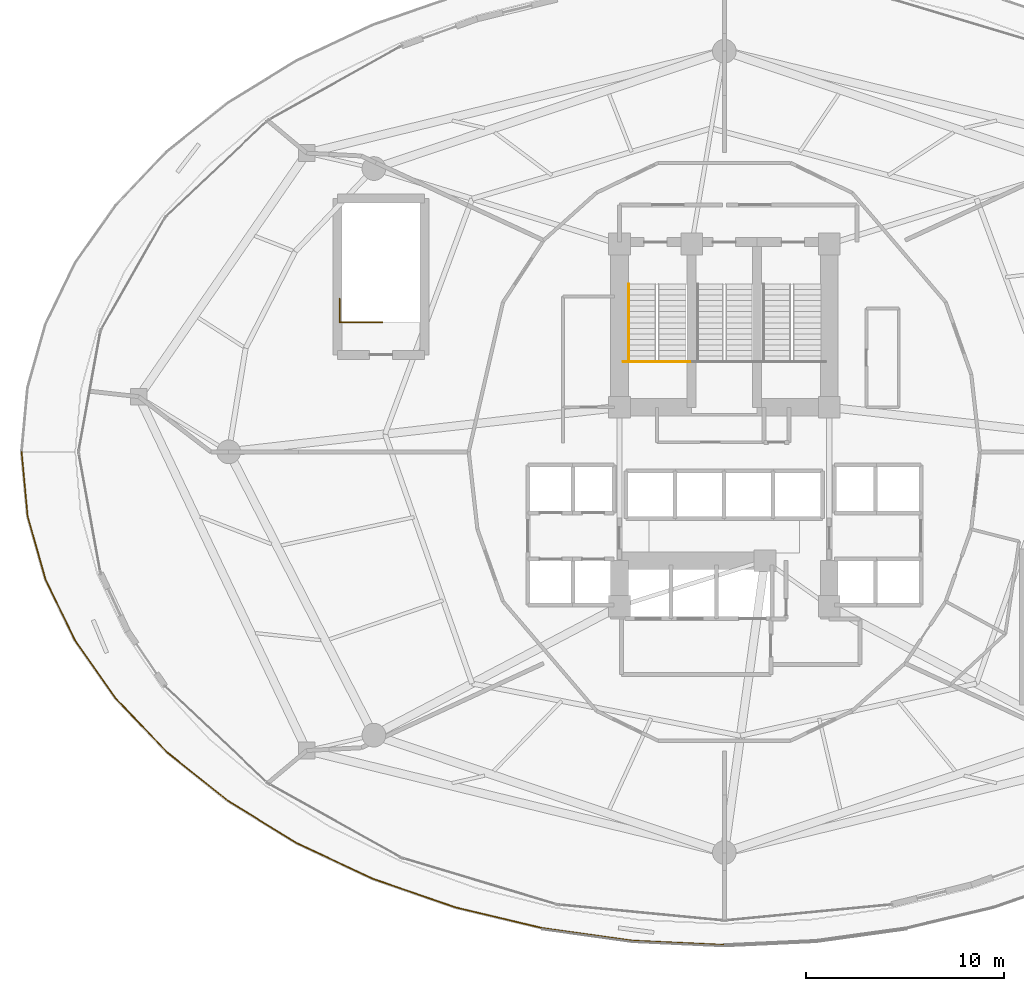
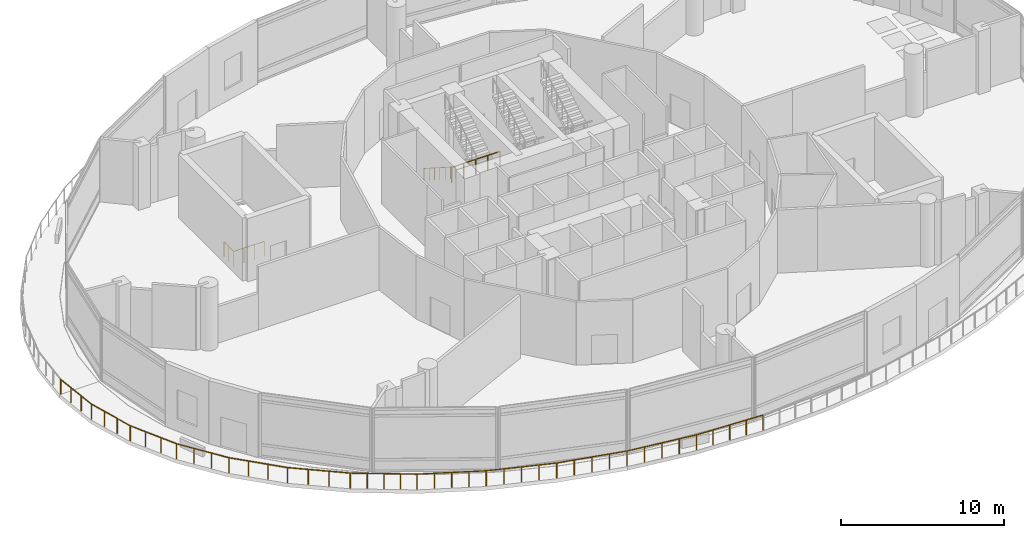
# One storey, part 30 of 34: 5 railings.
"""IFC4 building model written with IfcOpenShell, lengths in metres."""

from ifc_helpers import new_model, si_unit, direction, frame, origin, place, context, subcontext, project, spatial, polyline, outline, extrude, material, type_object, element, save


model = new_model("IFC4")

# Units and contexts
model_context = context("Model", 3, precision=1e-05, world=origin(), true_north=direction((0.0, 1.0)))
body_context = subcontext(model_context, "Body", "Model", "MODEL_VIEW")
ifc_project = project(units=[si_unit("LENGTHUNIT", "METRE"), si_unit("AREAUNIT", "SQUARE_METRE"), si_unit("VOLUMEUNIT", "CUBIC_METRE"), si_unit("PLANEANGLEUNIT", "RADIAN"), si_unit("MASSUNIT", "GRAM", prefix="KILO")], contexts=[model_context])

# Site, building, storey
site_placement = place(None, origin())
site = spatial("IfcSite", under=ifc_project, at=site_placement, CompositionType="ELEMENT")
building_placement = place(site_placement, origin())
building = spatial("IfcBuilding", under=site, at=building_placement, Name="Nuhasar Tower", CompositionType="ELEMENT")
storey_placement = place(building_placement, frame((0.0, 0.0, 16.0)))
storey = spatial("IfcBuildingStorey", under=building, at=storey_placement, Name="L03", CompositionType="ELEMENT", Elevation=16.0)

# Railings
ifc_material_1 = material(Name="Steel S355", Category="steel")
railing_type_1 = type_object("IfcRailingType", Name="RLG-STAIR-GUARD-1150", PredefinedType="GUARDRAIL", material=ifc_material_1)
railing_1_placement = place(storey_placement, frame((33.8798828125, 31.364990234375, 2.5)))
element("IfcRailing", 1, at=railing_1_placement, inside=storey, type_object=railing_type_1, Name="L03 Stair ST-01 Guardrail LND", PredefinedType="GUARDRAIL", context=body_context, shape_type="SweptSolid", body=[
    extrude(outline(polyline([(0.024169921875, 0.0), (0.01708984375, 0.01708984375), (0.0, 0.024169921875), (-0.01708984375, 0.01708984375), (-0.024169921875, 0.0), (-0.01708984375, -0.01708984375), (0.0, -0.024169921875), (0.01708984375, -0.01708984375), (0.024169921875, 0.0)])), frame((0.0, 0.0, 1.1259765625), z_axis=(1.0, 0.0, 0.0), x_axis=(0.0, 1.0, 0.0)), (0.0, 0.0, 1.0), 3.420166015625),
    extrude(outline(polyline([(0.02099609375, 0.0), (0.014892578125, 0.014892578125), (0.0, 0.02099609375), (-0.014892578125, 0.014892578125), (-0.02099609375, 0.0), (-0.014892578125, -0.014892578125), (0.0, -0.02099609375), (0.014892578125, -0.014892578125), (0.02099609375, 0.0)])), origin(), (0.0, 0.0, 1.0), 1.101806640625),
    extrude(outline(polyline([(0.02099609375, 0.0), (0.014892578125, 0.014892578125), (0.0, 0.02099609375), (-0.014892578125, 0.014892578125), (-0.02099609375, 0.0), (-0.014892578125, -0.014892578125), (0.0, -0.02099609375), (0.014892578125, -0.014892578125), (0.02099609375, 0.0)])), frame((0.85498046875, 0.0, 0.0)), (0.0, 0.0, 1.0), 1.101806640625),
    extrude(outline(polyline([(0.02099609375, 0.0), (0.014892578125, 0.014892578125), (0.0, 0.02099609375), (-0.014892578125, 0.014892578125), (-0.02099609375, 0.0), (-0.014892578125, -0.014892578125), (0.0, -0.02099609375), (0.014892578125, -0.014892578125), (0.02099609375, 0.0)])), frame((1.7099609375, 0.0, 0.0)), (0.0, 0.0, 1.0), 1.101806640625),
    extrude(outline(polyline([(0.02099609375, 0.0), (0.014892578125, 0.014892578125), (0.0, 0.02099609375), (-0.014892578125, 0.014892578125), (-0.02099609375, 0.0), (-0.014892578125, -0.014892578125), (0.0, -0.02099609375), (0.014892578125, -0.014892578125), (0.02099609375, 0.0)])), frame((2.565185546875, 0.0, 0.0)), (0.0, 0.0, 1.0), 1.101806640625),
    extrude(outline(polyline([(0.02099609375, 0.0), (0.014892578125, 0.014892578125), (0.0, 0.02099609375), (-0.014892578125, 0.014892578125), (-0.02099609375, 0.0), (-0.014892578125, -0.014892578125), (0.0, -0.02099609375), (0.014892578125, -0.014892578125), (0.02099609375, 0.0)])), frame((3.420166015625, 0.0, 0.0)), (0.0, 0.0, 1.0), 1.101806640625),
])
railing_2_placement = place(storey_placement, frame((19.550048828125, 34.550048828125, 0.0)))
element("IfcRailing", 2, at=railing_2_placement, inside=storey, type_object=railing_type_1, Name="L03 Stair ST-04 Top Well Guardrail", PredefinedType="GUARDRAIL", context=body_context, shape_type="SweptSolid", body=[
    extrude(outline(polyline([(0.024169921875, 0.0), (0.01708984375, 0.01708984375), (0.0, 0.024169921875), (-0.01708984375, 0.01708984375), (-0.024169921875, 0.0), (-0.01708984375, -0.01708984375), (0.0, -0.024169921875), (0.01708984375, -0.01708984375), (0.024169921875, 0.0)])), frame((0.0, 0.0, 1.1259765625), z_axis=(0.0, -1.0, 0.0), x_axis=(1.0, 0.0, 0.0)), (0.0, 0.0, 1.0), 1.199951171875),
    extrude(outline(polyline([(0.024169921875, 0.0), (0.01708984375, 0.01708984375), (0.0, 0.024169921875), (-0.01708984375, 0.01708984375), (-0.024169921875, 0.0), (-0.01708984375, -0.01708984375), (0.0, -0.024169921875), (0.01708984375, -0.01708984375), (0.024169921875, 0.0)])), frame((0.0, -1.199951171875, 1.1259765625), z_axis=(1.0, 0.0, 0.0), x_axis=(0.0, 1.0, 0.0)), (0.0, 0.0, 1.0), 2.169921875),
    extrude(outline(polyline([(0.02099609375, 0.0), (0.014892578125, 0.014892578125), (0.0, 0.02099609375), (-0.014892578125, 0.014892578125), (-0.02099609375, 0.0), (-0.014892578125, -0.014892578125), (0.0, -0.02099609375), (0.014892578125, -0.014892578125), (0.02099609375, 0.0)])), origin(), (0.0, 0.0, 1.0), 1.101806640625),
    extrude(outline(polyline([(0.02099609375, 0.0), (0.014892578125, 0.014892578125), (0.0, 0.02099609375), (-0.014892578125, 0.014892578125), (-0.02099609375, 0.0), (-0.014892578125, -0.014892578125), (0.0, -0.02099609375), (0.014892578125, -0.014892578125), (0.02099609375, 0.0)])), frame((0.0, -0.60009765625, 0.0)), (0.0, 0.0, 1.0), 1.101806640625),
    extrude(outline(polyline([(0.02099609375, 0.0), (0.014892578125, 0.014892578125), (0.0, 0.02099609375), (-0.014892578125, 0.014892578125), (-0.02099609375, 0.0), (-0.014892578125, -0.014892578125), (0.0, -0.02099609375), (0.014892578125, -0.014892578125), (0.02099609375, 0.0)])), frame((0.0, -1.199951171875, 0.0)), (0.0, 0.0, 1.0), 1.101806640625),
    extrude(outline(polyline([(0.02099609375, 0.0), (0.014892578125, 0.014892578125), (0.0, 0.02099609375), (-0.014892578125, 0.014892578125), (-0.02099609375, 0.0), (-0.014892578125, -0.014892578125), (0.0, -0.02099609375), (0.014892578125, -0.014892578125), (0.02099609375, 0.0)])), frame((0.723388671875, -1.199951171875, 0.0)), (0.0, 0.0, 1.0), 1.101806640625),
    extrude(outline(polyline([(0.02099609375, 0.0), (0.014892578125, 0.014892578125), (0.0, 0.02099609375), (-0.014892578125, 0.014892578125), (-0.02099609375, 0.0), (-0.014892578125, -0.014892578125), (0.0, -0.02099609375), (0.014892578125, -0.014892578125), (0.02099609375, 0.0)])), frame((1.446533203125, -1.199951171875, 0.0)), (0.0, 0.0, 1.0), 1.101806640625),
    extrude(outline(polyline([(0.02099609375, 0.0), (0.014892578125, 0.014892578125), (0.0, 0.02099609375), (-0.014892578125, 0.014892578125), (-0.02099609375, 0.0), (-0.014892578125, -0.014892578125), (0.0, -0.02099609375), (0.014892578125, -0.014892578125), (0.02099609375, 0.0)])), frame((2.169921875, -1.199951171875, 0.0)), (0.0, 0.0, 1.0), 1.101806640625),
])
ifc_material_2 = material(Name="Stainless Steel 316L", Category="steel")
railing_type_2 = type_object("IfcRailingType", Name="RLG-STAIR-HAND-920", PredefinedType="HANDRAIL", material=ifc_material_2)
railing_3_placement = place(storey_placement, frame((34.169921875, 35.284912109375, 0.1669921875)))
element("IfcRailing", 3, at=railing_3_placement, inside=storey, type_object=railing_type_2, Name="L03 Stair ST-01 Handrail HND1", PredefinedType="HANDRAIL", context=body_context, shape_type="SweptSolid", body=[
    extrude(outline(polyline([(0.024169921875, 0.0), (0.01708984375, 0.01708984375), (0.0, 0.024169921875), (-0.01708984375, 0.01708984375), (-0.024169921875, 0.0), (-0.01708984375, -0.01708984375), (0.0, -0.024169921875), (0.01708984375, -0.01708984375), (0.024169921875, 0.0)])), frame((0.0, 0.0, 0.89599609375), z_axis=(0.0, -0.843124831705, 0.537717879712), x_axis=(1.0, 0.0, 0.0)), (0.0, 0.0, 1.0), 4.649169921875),
    extrude(outline(polyline([(0.02099609375, 0.0), (0.014892578125, 0.014892578125), (0.0, 0.02099609375), (-0.014892578125, 0.014892578125), (-0.02099609375, 0.0), (-0.014892578125, -0.014892578125), (0.0, -0.02099609375), (0.014892578125, -0.014892578125), (0.02099609375, 0.0)])), origin(), (0.0, 0.0, 1.0), 0.871826171875),
    extrude(outline(polyline([(0.02099609375, 0.0), (0.014892578125, 0.014892578125), (0.0, 0.02099609375), (-0.014892578125, 0.014892578125), (-0.02099609375, 0.0), (-0.014892578125, -0.014892578125), (0.0, -0.02099609375), (0.014892578125, -0.014892578125), (0.02099609375, 0.0)])), frame((0.0, -0.6533203125, 0.416748046875)), (0.0, 0.0, 1.0), 0.871826171875),
    extrude(outline(polyline([(0.02099609375, 0.0), (0.014892578125, 0.014892578125), (0.0, 0.02099609375), (-0.014892578125, 0.014892578125), (-0.02099609375, 0.0), (-0.014892578125, -0.014892578125), (0.0, -0.02099609375), (0.014892578125, -0.014892578125), (0.02099609375, 0.0)])), frame((0.0, -1.306640625, 0.833251953125)), (0.0, 0.0, 1.0), 0.871826171875),
    extrude(outline(polyline([(0.02099609375, 0.0), (0.014892578125, 0.014892578125), (0.0, 0.02099609375), (-0.014892578125, 0.014892578125), (-0.02099609375, 0.0), (-0.014892578125, -0.014892578125), (0.0, -0.02099609375), (0.014892578125, -0.014892578125), (0.02099609375, 0.0)])), frame((0.0, -1.9599609375, 1.25)), (0.0, 0.0, 1.0), 0.871826171875),
    extrude(outline(polyline([(0.02099609375, 0.0), (0.014892578125, 0.014892578125), (0.0, 0.02099609375), (-0.014892578125, 0.014892578125), (-0.02099609375, 0.0), (-0.014892578125, -0.014892578125), (0.0, -0.02099609375), (0.014892578125, -0.014892578125), (0.02099609375, 0.0)])), frame((0.0, -2.61328125, 1.666748046875)), (0.0, 0.0, 1.0), 0.871826171875),
    extrude(outline(polyline([(0.02099609375, 0.0), (0.014892578125, 0.014892578125), (0.0, 0.02099609375), (-0.014892578125, 0.014892578125), (-0.02099609375, 0.0), (-0.014892578125, -0.014892578125), (0.0, -0.02099609375), (0.014892578125, -0.014892578125), (0.02099609375, 0.0)])), frame((0.0, -3.2666015625, 2.083251953125)), (0.0, 0.0, 1.0), 0.871826171875),
    extrude(outline(polyline([(0.02099609375, 0.0), (0.014892578125, 0.014892578125), (0.0, 0.02099609375), (-0.014892578125, 0.014892578125), (-0.02099609375, 0.0), (-0.014892578125, -0.014892578125), (0.0, -0.02099609375), (0.014892578125, -0.014892578125), (0.02099609375, 0.0)])), frame((0.0, -3.919921875, 2.5)), (0.0, 0.0, 1.0), 0.871826171875),
])
railing_type_3 = type_object("IfcRailingType", Name="RLG-TERR-1150", PredefinedType="BALUSTRADE", material=ifc_material_1)
railing_4_placement = place(storey_placement, frame((3.47998046875, 26.800048828125, 0.0)))
element("IfcRailing", 4, at=railing_4_placement, inside=storey, type_object=railing_type_3, Name="L03 Bustan Terrace Perimeter Balustrade 05", PredefinedType="BALUSTRADE", context=body_context, shape_type="SweptSolid", body=[
    extrude(outline(polyline([(0.024169921875, 0.0), (0.01708984375, 0.01708984375), (0.0, 0.024169921875), (-0.01708984375, 0.01708984375), (-0.024169921875, 0.0), (-0.01708984375, -0.01708984375), (0.0, -0.024169921875), (0.01708984375, -0.01708984375), (0.024169921875, 0.0)])), frame((0.0, 0.0, 1.1259765625), z_axis=(0.093035140952, -0.995662825734, 0.0), x_axis=(0.995662825734, 0.093035140952, 0.0)), (0.0, 0.0, 1.0), 3.26708984375),
    extrude(outline(polyline([(0.024169921875, 0.0), (0.01708984375, 0.01708984375), (0.0, 0.024169921875), (-0.01708984375, 0.01708984375), (-0.024169921875, 0.0), (-0.01708984375, -0.01708984375), (0.0, -0.024169921875), (0.01708984375, -0.01708984375), (0.024169921875, 0.0)])), frame((0.303955078125, -3.2529296875, 1.1259765625), z_axis=(0.272653580986, -0.962112272438, 0.0), x_axis=(0.962112272438, 0.272653580986, 0.0)), (0.0, 0.0, 1.0), 3.322998046875),
    extrude(outline(polyline([(0.024169921875, 0.0), (0.01708984375, 0.01708984375), (0.0, 0.024169921875), (-0.01708984375, 0.01708984375), (-0.024169921875, 0.0), (-0.01708984375, -0.01708984375), (0.0, -0.024169921875), (0.01708984375, -0.01708984375), (0.024169921875, 0.0)])), frame((1.2099609375, -6.449951171875, 1.1259765625), z_axis=(0.435756333152, -0.900064674408, 0.0), x_axis=(0.900064674408, 0.435756333152, 0.0)), (0.0, 0.0, 1.0), 3.428955078125),
    extrude(outline(polyline([(0.024169921875, 0.0), (0.01708984375, 0.01708984375), (0.0, 0.024169921875), (-0.01708984375, 0.01708984375), (-0.024169921875, 0.0), (-0.01708984375, -0.01708984375), (0.0, -0.024169921875), (0.01708984375, -0.01708984375), (0.024169921875, 0.0)])), frame((2.7041015625, -9.5361328125, 1.1259765625), z_axis=(0.575011024195, -0.818145660658, 0.0), x_axis=(0.818145660658, 0.575011024195, 0.0)), (0.0, 0.0, 1.0), 3.57373046875),
    extrude(outline(polyline([(0.024169921875, 0.0), (0.01708984375, 0.01708984375), (0.0, 0.024169921875), (-0.01708984375, 0.01708984375), (-0.024169921875, 0.0), (-0.01708984375, -0.01708984375), (0.0, -0.024169921875), (0.01708984375, -0.01708984375), (0.024169921875, 0.0)])), frame((4.759033203125, -12.4599609375, 1.1259765625), z_axis=(0.689642141237, -0.724150341456, 0.0), x_axis=(0.724150341456, 0.689642141237, 0.0)), (0.0, 0.0, 1.0), 3.74267578125),
    extrude(outline(polyline([(0.024169921875, 0.0), (0.01708984375, 0.01708984375), (0.0, 0.024169921875), (-0.01708984375, 0.01708984375), (-0.024169921875, 0.0), (-0.01708984375, -0.01708984375), (0.0, -0.024169921875), (0.01708984375, -0.01708984375), (0.024169921875, 0.0)])), frame((7.340087890625, -15.170166015625, 1.1259765625), z_axis=(0.780942399293, -0.624603049133, 0.0), x_axis=(0.624603049133, 0.780942399293, 0.0)), (0.0, 0.0, 1.0), 3.8837890625),
    extrude(outline(polyline([(0.02099609375, 0.0), (0.014892578125, 0.014892578125), (0.0, 0.02099609375), (-0.014892578125, 0.014892578125), (-0.02099609375, 0.0), (-0.014892578125, -0.014892578125), (0.0, -0.02099609375), (0.014892578125, -0.014892578125), (0.02099609375, 0.0)])), origin(), (0.0, 0.0, 1.0), 1.101806640625),
    extrude(outline(polyline([(0.02099609375, 0.0), (0.014892578125, 0.014892578125), (0.0, 0.02099609375), (-0.014892578125, 0.014892578125), (-0.02099609375, 0.0), (-0.014892578125, -0.014892578125), (0.0, -0.02099609375), (0.014892578125, -0.014892578125), (0.02099609375, 0.0)])), frame((0.101318359375, -1.084228515625, 0.0)), (0.0, 0.0, 1.0), 1.101806640625),
    extrude(outline(polyline([(0.02099609375, 0.0), (0.014892578125, 0.014892578125), (0.0, 0.02099609375), (-0.014892578125, 0.014892578125), (-0.02099609375, 0.0), (-0.014892578125, -0.014892578125), (0.0, -0.02099609375), (0.014892578125, -0.014892578125), (0.02099609375, 0.0)])), frame((0.20263671875, -2.168701171875, 0.0)), (0.0, 0.0, 1.0), 1.101806640625),
    extrude(outline(polyline([(0.02099609375, 0.0), (0.014892578125, 0.014892578125), (0.0, 0.02099609375), (-0.014892578125, 0.014892578125), (-0.02099609375, 0.0), (-0.014892578125, -0.014892578125), (0.0, -0.02099609375), (0.014892578125, -0.014892578125), (0.02099609375, 0.0)])), frame((0.303955078125, -3.2529296875, 0.0)), (0.0, 0.0, 1.0), 1.101806640625),
    extrude(outline(polyline([(0.02099609375, 0.0), (0.014892578125, 0.014892578125), (0.0, 0.02099609375), (-0.014892578125, 0.014892578125), (-0.02099609375, 0.0), (-0.014892578125, -0.014892578125), (0.0, -0.02099609375), (0.014892578125, -0.014892578125), (0.02099609375, 0.0)])), frame((0.60595703125, -4.318603515625, 0.0)), (0.0, 0.0, 1.0), 1.101806640625),
    extrude(outline(polyline([(0.02099609375, 0.0), (0.014892578125, 0.014892578125), (0.0, 0.02099609375), (-0.014892578125, 0.014892578125), (-0.02099609375, 0.0), (-0.014892578125, -0.014892578125), (0.0, -0.02099609375), (0.014892578125, -0.014892578125), (0.02099609375, 0.0)])), frame((0.907958984375, -5.38427734375, 0.0)), (0.0, 0.0, 1.0), 1.101806640625),
    extrude(outline(polyline([(0.02099609375, 0.0), (0.014892578125, 0.014892578125), (0.0, 0.02099609375), (-0.014892578125, 0.014892578125), (-0.02099609375, 0.0), (-0.014892578125, -0.014892578125), (0.0, -0.02099609375), (0.014892578125, -0.014892578125), (0.02099609375, 0.0)])), frame((1.2099609375, -6.449951171875, 0.0)), (0.0, 0.0, 1.0), 1.101806640625),
    extrude(outline(polyline([(0.02099609375, 0.0), (0.014892578125, 0.014892578125), (0.0, 0.02099609375), (-0.014892578125, 0.014892578125), (-0.02099609375, 0.0), (-0.014892578125, -0.014892578125), (0.0, -0.02099609375), (0.014892578125, -0.014892578125), (0.02099609375, 0.0)])), frame((1.7080078125, -7.478759765625, 0.0)), (0.0, 0.0, 1.0), 1.101806640625),
    extrude(outline(polyline([(0.02099609375, 0.0), (0.014892578125, 0.014892578125), (0.0, 0.02099609375), (-0.014892578125, 0.014892578125), (-0.02099609375, 0.0), (-0.014892578125, -0.014892578125), (0.0, -0.02099609375), (0.014892578125, -0.014892578125), (0.02099609375, 0.0)])), frame((2.2060546875, -8.50732421875, 0.0)), (0.0, 0.0, 1.0), 1.101806640625),
    extrude(outline(polyline([(0.02099609375, 0.0), (0.014892578125, 0.014892578125), (0.0, 0.02099609375), (-0.014892578125, 0.014892578125), (-0.02099609375, 0.0), (-0.014892578125, -0.014892578125), (0.0, -0.02099609375), (0.014892578125, -0.014892578125), (0.02099609375, 0.0)])), frame((2.7041015625, -9.5361328125, 0.0)), (0.0, 0.0, 1.0), 1.101806640625),
    extrude(outline(polyline([(0.02099609375, 0.0), (0.014892578125, 0.014892578125), (0.0, 0.02099609375), (-0.014892578125, 0.014892578125), (-0.02099609375, 0.0), (-0.014892578125, -0.014892578125), (0.0, -0.02099609375), (0.014892578125, -0.014892578125), (0.02099609375, 0.0)])), frame((3.38916015625, -10.5107421875, 0.0)), (0.0, 0.0, 1.0), 1.101806640625),
    extrude(outline(polyline([(0.02099609375, 0.0), (0.014892578125, 0.014892578125), (0.0, 0.02099609375), (-0.014892578125, 0.014892578125), (-0.02099609375, 0.0), (-0.014892578125, -0.014892578125), (0.0, -0.02099609375), (0.014892578125, -0.014892578125), (0.02099609375, 0.0)])), frame((4.073974609375, -11.4853515625, 0.0)), (0.0, 0.0, 1.0), 1.101806640625),
    extrude(outline(polyline([(0.02099609375, 0.0), (0.014892578125, 0.014892578125), (0.0, 0.02099609375), (-0.014892578125, 0.014892578125), (-0.02099609375, 0.0), (-0.014892578125, -0.014892578125), (0.0, -0.02099609375), (0.014892578125, -0.014892578125), (0.02099609375, 0.0)])), frame((4.759033203125, -12.4599609375, 0.0)), (0.0, 0.0, 1.0), 1.101806640625),
    extrude(outline(polyline([(0.02099609375, 0.0), (0.014892578125, 0.014892578125), (0.0, 0.02099609375), (-0.014892578125, 0.014892578125), (-0.02099609375, 0.0), (-0.014892578125, -0.014892578125), (0.0, -0.02099609375), (0.014892578125, -0.014892578125), (0.02099609375, 0.0)])), frame((5.619384765625, -13.36328125, 0.0)), (0.0, 0.0, 1.0), 1.101806640625),
    extrude(outline(polyline([(0.02099609375, 0.0), (0.014892578125, 0.014892578125), (0.0, 0.02099609375), (-0.014892578125, 0.014892578125), (-0.02099609375, 0.0), (-0.014892578125, -0.014892578125), (0.0, -0.02099609375), (0.014892578125, -0.014892578125), (0.02099609375, 0.0)])), frame((6.479736328125, -14.266845703125, 0.0)), (0.0, 0.0, 1.0), 1.101806640625),
    extrude(outline(polyline([(0.02099609375, 0.0), (0.014892578125, 0.014892578125), (0.0, 0.02099609375), (-0.014892578125, 0.014892578125), (-0.02099609375, 0.0), (-0.014892578125, -0.014892578125), (0.0, -0.02099609375), (0.014892578125, -0.014892578125), (0.02099609375, 0.0)])), frame((7.340087890625, -15.170166015625, 0.0)), (0.0, 0.0, 1.0), 1.101806640625),
    extrude(outline(polyline([(0.02099609375, 0.0), (0.014892578125, 0.014892578125), (0.0, 0.02099609375), (-0.014892578125, 0.014892578125), (-0.02099609375, 0.0), (-0.014892578125, -0.014892578125), (0.0, -0.02099609375), (0.014892578125, -0.014892578125), (0.02099609375, 0.0)])), frame((8.35107421875, -15.978759765625, 0.0)), (0.0, 0.0, 1.0), 1.101806640625),
    extrude(outline(polyline([(0.02099609375, 0.0), (0.014892578125, 0.014892578125), (0.0, 0.02099609375), (-0.014892578125, 0.014892578125), (-0.02099609375, 0.0), (-0.014892578125, -0.014892578125), (0.0, -0.02099609375), (0.014892578125, -0.014892578125), (0.02099609375, 0.0)])), frame((9.362060546875, -16.787353515625, 0.0)), (0.0, 0.0, 1.0), 1.101806640625),
    extrude(outline(polyline([(0.02099609375, 0.0), (0.014892578125, 0.014892578125), (0.0, 0.02099609375), (-0.014892578125, 0.014892578125), (-0.02099609375, 0.0), (-0.014892578125, -0.014892578125), (0.0, -0.02099609375), (0.014892578125, -0.014892578125), (0.02099609375, 0.0)])), frame((10.373046875, -17.595947265625, 0.0)), (0.0, 0.0, 1.0), 1.101806640625),
])
railing_5_placement = place(storey_placement, frame((13.884033203125, 9.178955078125, 0.0)))
element("IfcRailing", 5, at=railing_5_placement, inside=storey, type_object=railing_type_3, Name="L03 Bustan Terrace Perimeter Balustrade 06", PredefinedType="BALUSTRADE", context=body_context, shape_type="SweptSolid", body=[
    extrude(outline(polyline([(0.024169921875, 0.0), (0.01708984375, 0.01708984375), (0.0, 0.024169921875), (-0.01708984375, 0.01708984375), (-0.024169921875, 0.0), (-0.01708984375, -0.01708984375), (0.0, -0.024169921875), (0.01708984375, -0.01708984375), (0.024169921875, 0.0)])), frame((0.0, 0.0, 1.1259765625), z_axis=(0.851719631052, -0.523997776789, 0.0), x_axis=(0.523997776789, 0.851719631052, 0.0)), (0.0, 0.0, 1.0), 4.10107421875),
    extrude(outline(polyline([(0.024169921875, 0.0), (0.01708984375, 0.01708984375), (0.0, 0.024169921875), (-0.01708984375, 0.01708984375), (-0.024169921875, 0.0), (-0.01708984375, -0.01708984375), (0.0, -0.024169921875), (0.01708984375, -0.01708984375), (0.024169921875, 0.0)])), frame((3.492919921875, -2.14892578125, 1.1259765625), z_axis=(0.905437630864, -0.424479324132, 0.0), x_axis=(0.424479324132, 0.905437630864, 0.0)), (0.0, 0.0, 1.0), 4.2666015625),
    extrude(outline(polyline([(0.024169921875, 0.0), (0.01708984375, 0.01708984375), (0.0, 0.024169921875), (-0.01708984375, 0.01708984375), (-0.024169921875, 0.0), (-0.01708984375, -0.01708984375), (0.0, -0.024169921875), (0.01708984375, -0.01708984375), (0.024169921875, 0.0)])), frame((7.35595703125, -3.9599609375, 1.1259765625), z_axis=(0.945022930753, -0.327004067789, 0.0), x_axis=(0.327004067789, 0.945022930753, 0.0)), (0.0, 0.0, 1.0), 4.409423828125),
    extrude(outline(polyline([(0.024169921875, 0.0), (0.01708984375, 0.01708984375), (0.0, 0.024169921875), (-0.01708984375, 0.01708984375), (-0.024169921875, 0.0), (-0.01708984375, -0.01708984375), (0.0, -0.024169921875), (0.01708984375, -0.01708984375), (0.024169921875, 0.0)])), frame((11.52294921875, -5.40185546875, 1.1259765625), z_axis=(0.972781305311, -0.231725121723, 0.0), x_axis=(0.231725121723, 0.972781305311, 0.0)), (0.0, 0.0, 1.0), 4.52294921875),
    extrude(outline(polyline([(0.024169921875, 0.0), (0.01708984375, 0.01708984375), (0.0, 0.024169921875), (-0.01708984375, 0.01708984375), (-0.024169921875, 0.0), (-0.01708984375, -0.01708984375), (0.0, -0.024169921875), (0.01708984375, -0.01708984375), (0.024169921875, 0.0)])), frame((15.9228515625, -6.449951171875, 1.1259765625), z_axis=(0.990401686218, -0.138219028854, 0.0), x_axis=(0.138219028854, 0.990401686218, 0.0)), (0.0, 0.0, 1.0), 4.601318359375),
    extrude(outline(polyline([(0.024169921875, 0.0), (0.01708984375, 0.01708984375), (0.0, 0.024169921875), (-0.01708984375, 0.01708984375), (-0.024169921875, 0.0), (-0.01708984375, -0.01708984375), (0.0, -0.024169921875), (0.01708984375, -0.01708984375), (0.024169921875, 0.0)])), frame((20.47998046875, -7.0859375, 1.1259765625), z_axis=(0.998948420633, -0.04584815062, 0.0), x_axis=(0.04584815062, 0.998948420633, 0.0)), (0.0, 0.0, 1.0), 4.600830078125),
    extrude(outline(polyline([(0.02099609375, 0.0), (0.014892578125, 0.014892578125), (0.0, 0.02099609375), (-0.014892578125, 0.014892578125), (-0.02099609375, 0.0), (-0.014892578125, -0.014892578125), (0.0, -0.02099609375), (0.014892578125, -0.014892578125), (0.02099609375, 0.0)])), origin(), (0.0, 0.0, 1.0), 1.101806640625),
    extrude(outline(polyline([(0.02099609375, 0.0), (0.014892578125, 0.014892578125), (0.0, 0.02099609375), (-0.014892578125, 0.014892578125), (-0.02099609375, 0.0), (-0.014892578125, -0.014892578125), (0.0, -0.02099609375), (0.014892578125, -0.014892578125), (0.02099609375, 0.0)])), frame((0.873291015625, -0.537109375, 0.0)), (0.0, 0.0, 1.0), 1.101806640625),
    extrude(outline(polyline([(0.02099609375, 0.0), (0.014892578125, 0.014892578125), (0.0, 0.02099609375), (-0.014892578125, 0.014892578125), (-0.02099609375, 0.0), (-0.014892578125, -0.014892578125), (0.0, -0.02099609375), (0.014892578125, -0.014892578125), (0.02099609375, 0.0)])), frame((1.74658203125, -1.074462890625, 0.0)), (0.0, 0.0, 1.0), 1.101806640625),
    extrude(outline(polyline([(0.02099609375, 0.0), (0.014892578125, 0.014892578125), (0.0, 0.02099609375), (-0.014892578125, 0.014892578125), (-0.02099609375, 0.0), (-0.014892578125, -0.014892578125), (0.0, -0.02099609375), (0.014892578125, -0.014892578125), (0.02099609375, 0.0)])), frame((2.61962890625, -1.61181640625, 0.0)), (0.0, 0.0, 1.0), 1.101806640625),
    extrude(outline(polyline([(0.02099609375, 0.0), (0.014892578125, 0.014892578125), (0.0, 0.02099609375), (-0.014892578125, 0.014892578125), (-0.02099609375, 0.0), (-0.014892578125, -0.014892578125), (0.0, -0.02099609375), (0.014892578125, -0.014892578125), (0.02099609375, 0.0)])), frame((3.492919921875, -2.14892578125, 0.0)), (0.0, 0.0, 1.0), 1.101806640625),
    extrude(outline(polyline([(0.02099609375, 0.0), (0.014892578125, 0.014892578125), (0.0, 0.02099609375), (-0.014892578125, 0.014892578125), (-0.02099609375, 0.0), (-0.014892578125, -0.014892578125), (0.0, -0.02099609375), (0.014892578125, -0.014892578125), (0.02099609375, 0.0)])), frame((4.458740234375, -2.6015625, 0.0)), (0.0, 0.0, 1.0), 1.101806640625),
    extrude(outline(polyline([(0.02099609375, 0.0), (0.014892578125, 0.014892578125), (0.0, 0.02099609375), (-0.014892578125, 0.014892578125), (-0.02099609375, 0.0), (-0.014892578125, -0.014892578125), (0.0, -0.02099609375), (0.014892578125, -0.014892578125), (0.02099609375, 0.0)])), frame((5.42431640625, -3.054443359375, 0.0)), (0.0, 0.0, 1.0), 1.101806640625),
    extrude(outline(polyline([(0.02099609375, 0.0), (0.014892578125, 0.014892578125), (0.0, 0.02099609375), (-0.014892578125, 0.014892578125), (-0.02099609375, 0.0), (-0.014892578125, -0.014892578125), (0.0, -0.02099609375), (0.014892578125, -0.014892578125), (0.02099609375, 0.0)])), frame((6.39013671875, -3.50732421875, 0.0)), (0.0, 0.0, 1.0), 1.101806640625),
    extrude(outline(polyline([(0.02099609375, 0.0), (0.014892578125, 0.014892578125), (0.0, 0.02099609375), (-0.014892578125, 0.014892578125), (-0.02099609375, 0.0), (-0.014892578125, -0.014892578125), (0.0, -0.02099609375), (0.014892578125, -0.014892578125), (0.02099609375, 0.0)])), frame((7.35595703125, -3.9599609375, 0.0)), (0.0, 0.0, 1.0), 1.101806640625),
    extrude(outline(polyline([(0.02099609375, 0.0), (0.014892578125, 0.014892578125), (0.0, 0.02099609375), (-0.014892578125, 0.014892578125), (-0.02099609375, 0.0), (-0.014892578125, -0.014892578125), (0.0, -0.02099609375), (0.014892578125, -0.014892578125), (0.02099609375, 0.0)])), frame((8.397705078125, -4.3203125, 0.0)), (0.0, 0.0, 1.0), 1.101806640625),
    extrude(outline(polyline([(0.02099609375, 0.0), (0.014892578125, 0.014892578125), (0.0, 0.02099609375), (-0.014892578125, 0.014892578125), (-0.02099609375, 0.0), (-0.014892578125, -0.014892578125), (0.0, -0.02099609375), (0.014892578125, -0.014892578125), (0.02099609375, 0.0)])), frame((9.439453125, -4.680908203125, 0.0)), (0.0, 0.0, 1.0), 1.101806640625),
    extrude(outline(polyline([(0.02099609375, 0.0), (0.014892578125, 0.014892578125), (0.0, 0.02099609375), (-0.014892578125, 0.014892578125), (-0.02099609375, 0.0), (-0.014892578125, -0.014892578125), (0.0, -0.02099609375), (0.014892578125, -0.014892578125), (0.02099609375, 0.0)])), frame((10.481201171875, -5.04150390625, 0.0)), (0.0, 0.0, 1.0), 1.101806640625),
    extrude(outline(polyline([(0.02099609375, 0.0), (0.014892578125, 0.014892578125), (0.0, 0.02099609375), (-0.014892578125, 0.014892578125), (-0.02099609375, 0.0), (-0.014892578125, -0.014892578125), (0.0, -0.02099609375), (0.014892578125, -0.014892578125), (0.02099609375, 0.0)])), frame((11.52294921875, -5.40185546875, 0.0)), (0.0, 0.0, 1.0), 1.101806640625),
    extrude(outline(polyline([(0.02099609375, 0.0), (0.014892578125, 0.014892578125), (0.0, 0.02099609375), (-0.014892578125, 0.014892578125), (-0.02099609375, 0.0), (-0.014892578125, -0.014892578125), (0.0, -0.02099609375), (0.014892578125, -0.014892578125), (0.02099609375, 0.0)])), frame((12.623046875, -5.663818359375, 0.0)), (0.0, 0.0, 1.0), 1.101806640625),
    extrude(outline(polyline([(0.02099609375, 0.0), (0.014892578125, 0.014892578125), (0.0, 0.02099609375), (-0.014892578125, 0.014892578125), (-0.02099609375, 0.0), (-0.014892578125, -0.014892578125), (0.0, -0.02099609375), (0.014892578125, -0.014892578125), (0.02099609375, 0.0)])), frame((13.722900390625, -5.92578125, 0.0)), (0.0, 0.0, 1.0), 1.101806640625),
    extrude(outline(polyline([(0.02099609375, 0.0), (0.014892578125, 0.014892578125), (0.0, 0.02099609375), (-0.014892578125, 0.014892578125), (-0.02099609375, 0.0), (-0.014892578125, -0.014892578125), (0.0, -0.02099609375), (0.014892578125, -0.014892578125), (0.02099609375, 0.0)])), frame((14.82275390625, -6.18798828125, 0.0)), (0.0, 0.0, 1.0), 1.101806640625),
    extrude(outline(polyline([(0.02099609375, 0.0), (0.014892578125, 0.014892578125), (0.0, 0.02099609375), (-0.014892578125, 0.014892578125), (-0.02099609375, 0.0), (-0.014892578125, -0.014892578125), (0.0, -0.02099609375), (0.014892578125, -0.014892578125), (0.02099609375, 0.0)])), frame((15.9228515625, -6.449951171875, 0.0)), (0.0, 0.0, 1.0), 1.101806640625),
    extrude(outline(polyline([(0.02099609375, 0.0), (0.014892578125, 0.014892578125), (0.0, 0.02099609375), (-0.014892578125, 0.014892578125), (-0.02099609375, 0.0), (-0.014892578125, -0.014892578125), (0.0, -0.02099609375), (0.014892578125, -0.014892578125), (0.02099609375, 0.0)])), frame((17.06201171875, -6.60888671875, 0.0)), (0.0, 0.0, 1.0), 1.101806640625),
    extrude(outline(polyline([(0.02099609375, 0.0), (0.014892578125, 0.014892578125), (0.0, 0.02099609375), (-0.014892578125, 0.014892578125), (-0.02099609375, 0.0), (-0.014892578125, -0.014892578125), (0.0, -0.02099609375), (0.014892578125, -0.014892578125), (0.02099609375, 0.0)])), frame((18.201416015625, -6.76806640625, 0.0)), (0.0, 0.0, 1.0), 1.101806640625),
    extrude(outline(polyline([(0.02099609375, 0.0), (0.014892578125, 0.014892578125), (0.0, 0.02099609375), (-0.014892578125, 0.014892578125), (-0.02099609375, 0.0), (-0.014892578125, -0.014892578125), (0.0, -0.02099609375), (0.014892578125, -0.014892578125), (0.02099609375, 0.0)])), frame((19.3408203125, -6.927001953125, 0.0)), (0.0, 0.0, 1.0), 1.101806640625),
    extrude(outline(polyline([(0.02099609375, 0.0), (0.014892578125, 0.014892578125), (0.0, 0.02099609375), (-0.014892578125, 0.014892578125), (-0.02099609375, 0.0), (-0.014892578125, -0.014892578125), (0.0, -0.02099609375), (0.014892578125, -0.014892578125), (0.02099609375, 0.0)])), frame((20.47998046875, -7.0859375, 0.0)), (0.0, 0.0, 1.0), 1.101806640625),
    extrude(outline(polyline([(0.02099609375, 0.0), (0.014892578125, 0.014892578125), (0.0, 0.02099609375), (-0.014892578125, 0.014892578125), (-0.02099609375, 0.0), (-0.014892578125, -0.014892578125), (0.0, -0.02099609375), (0.014892578125, -0.014892578125), (0.02099609375, 0.0)])), frame((21.62890625, -7.138671875, 0.0)), (0.0, 0.0, 1.0), 1.101806640625),
    extrude(outline(polyline([(0.02099609375, 0.0), (0.014892578125, 0.014892578125), (0.0, 0.02099609375), (-0.014892578125, 0.014892578125), (-0.02099609375, 0.0), (-0.014892578125, -0.014892578125), (0.0, -0.02099609375), (0.014892578125, -0.014892578125), (0.02099609375, 0.0)])), frame((22.77783203125, -7.19140625, 0.0)), (0.0, 0.0, 1.0), 1.101806640625),
    extrude(outline(polyline([(0.02099609375, 0.0), (0.014892578125, 0.014892578125), (0.0, 0.02099609375), (-0.014892578125, 0.014892578125), (-0.02099609375, 0.0), (-0.014892578125, -0.014892578125), (0.0, -0.02099609375), (0.014892578125, -0.014892578125), (0.02099609375, 0.0)])), frame((23.927001953125, -7.244140625, 0.0)), (0.0, 0.0, 1.0), 1.101806640625),
    extrude(outline(polyline([(0.02099609375, 0.0), (0.014892578125, 0.014892578125), (0.0, 0.02099609375), (-0.014892578125, 0.014892578125), (-0.02099609375, 0.0), (-0.014892578125, -0.014892578125), (0.0, -0.02099609375), (0.014892578125, -0.014892578125), (0.02099609375, 0.0)])), frame((25.075927734375, -7.296875, 0.0)), (0.0, 0.0, 1.0), 1.101806640625),
])

save(model, "model.ifc")
